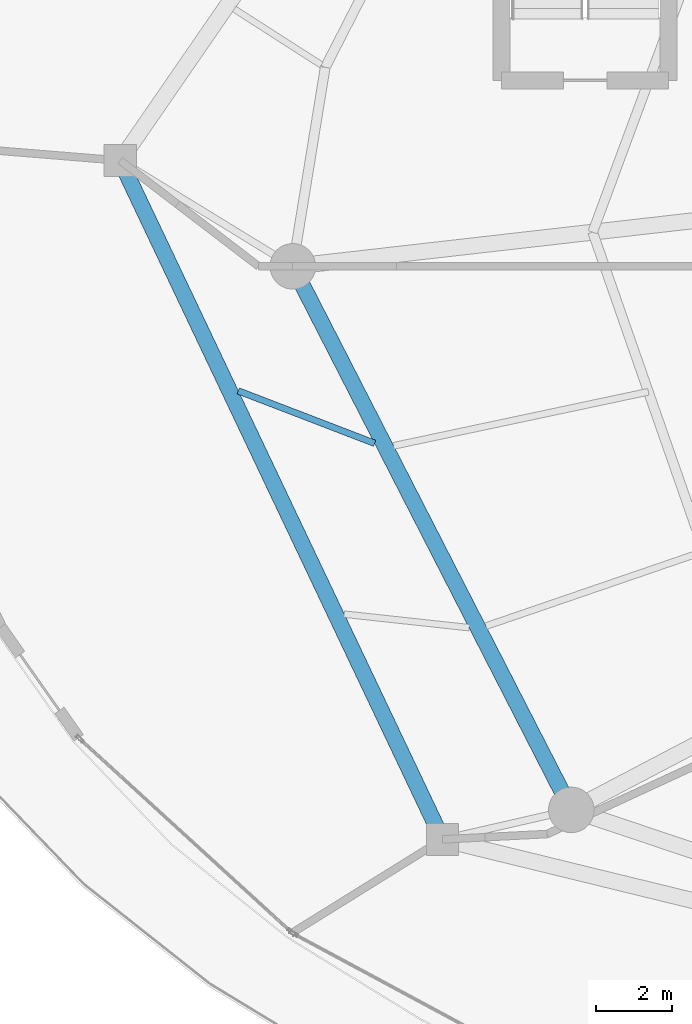
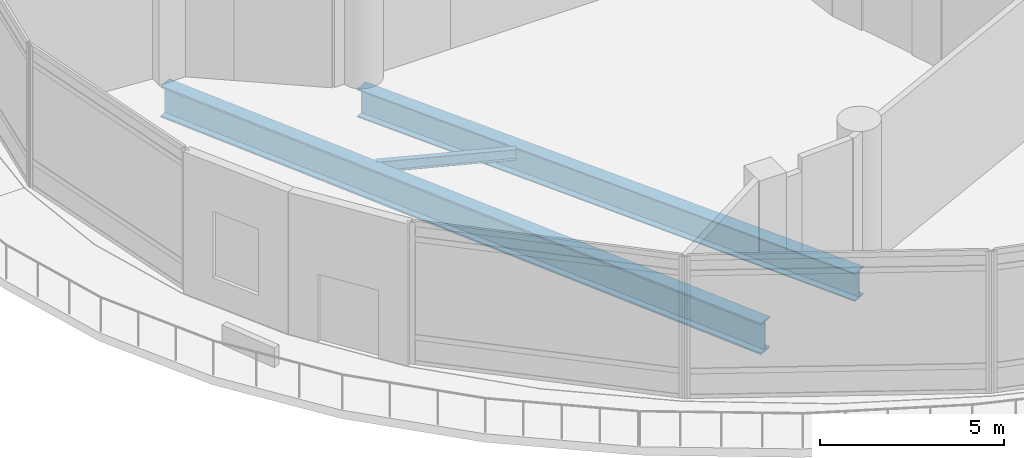
# One storey, part 6 of 36: 3 beams.
"""IFC4 building model written with IfcOpenShell, lengths in metres."""

import ifcopenshell
import ifcopenshell.guid

model = None  # the IFC model being written
_history = None  # IfcOwnerHistory: only IFC2X3 demands one
_inside = {}  # id of a spatial element -> (the spatial element, [elements in it])
_under = {}  # id of a project, library or spatial element -> (it, [spatial elements below it])
_declared = {}  # id of a project -> (the project, [libraries it declares])
_typed = {}  # id of a type object -> (the type object, [elements of that type])
_made_of = {}  # id of a material, layer set ... -> (it, [elements and type objects made of it])


def new_model(schema):
    """Start an empty IFC model of exactly this schema.

    Asked for "IFC4X3", IfcOpenShell would pick the latest addendum, in which some entities
    have other attributes; the version numbers below select the first issue.
    IFC2X3 requires an IfcOwnerHistory on every rooted entity: one is made here for all.
    """
    global model, _history
    if schema == "IFC4X3":
        model = ifcopenshell.file(schema_version=(4, 3, 0, 0))
    else:
        model = ifcopenshell.file(schema=schema)
    _inside.clear()
    _under.clear()
    _declared.clear()
    _typed.clear()
    _made_of.clear()
    _history = None
    if model.schema == "IFC2X3":
        org = make("IfcOrganization", Name="unknown")
        user = make(
            "IfcPersonAndOrganization",
            ThePerson=make("IfcPerson", FamilyName="unknown"),
            TheOrganization=org,
        )
        app = make(
            "IfcApplication",
            ApplicationDeveloper=org,
            Version="unknown",
            ApplicationFullName="unknown",
            ApplicationIdentifier="unknown",
        )
        _history = make(
            "IfcOwnerHistory",
            OwningUser=user,
            OwningApplication=app,
            ChangeAction="ADDED",
            CreationDate=0,
        )
    return model


def make(cls, **values):
    """One entity of the class cls with the attributes given. An attribute that is None is left unset."""
    return model.create_entity(
        cls, **{name: value for name, value in values.items() if value is not None}
    )


def rooted(cls, **values):
    """An entity with a GlobalId (a new one), such as an element, a storey or a relation."""
    return make(cls, GlobalId=ifcopenshell.guid.new(), OwnerHistory=_history, **values)


def si_unit(unit_type, name, prefix=None):
    """IfcSIUnit, for example si_unit("LENGTHUNIT", "METRE", prefix="MILLI")."""
    return make("IfcSIUnit", UnitType=unit_type, Prefix=prefix, Name=name)


def assignment(units):
    """IfcUnitAssignment: the units of a project."""
    return None if units is None else make("IfcUnitAssignment", Units=units)


def point(xyz):
    """IfcCartesianPoint."""
    return None if xyz is None else make("IfcCartesianPoint", Coordinates=xyz)


def direction(xyz):
    """IfcDirection."""
    return None if xyz is None else make("IfcDirection", DirectionRatios=xyz)


def frame(location, z_axis=None, x_axis=None):
    """IfcAxis2Placement3D, a coordinate frame: its origin and axes. An axis left out is left unset."""
    return make(
        "IfcAxis2Placement3D",
        Location=point(location),
        Axis=direction(z_axis),
        RefDirection=direction(x_axis),
    )


def frame_2d(location, x_axis=None):
    """IfcAxis2Placement2D, a coordinate frame in the plane: its origin and x axis."""
    return make(
        "IfcAxis2Placement2D", Location=point(location), RefDirection=direction(x_axis)
    )


def origin():
    """The frame at (0, 0, 0) with its axes left unset."""
    return frame((0.0, 0.0, 0.0))


def origin_2d():
    """The frame at (0, 0) in the plane with its x axis left unset."""
    return frame_2d((0.0, 0.0))


def place(relative_to, where):
    """IfcLocalPlacement: puts the frame where relative to a parent placement (None: the world)."""
    return make(
        "IfcLocalPlacement", PlacementRelTo=relative_to, RelativePlacement=where
    )


def context(
    kind, dimensions, precision=None, world=None, true_north=None, identifier=None
):
    """IfcGeometricRepresentationContext, for example the 3D "Model" context."""
    return make(
        "IfcGeometricRepresentationContext",
        ContextIdentifier=identifier,
        ContextType=kind,
        CoordinateSpaceDimension=dimensions,
        Precision=precision,
        WorldCoordinateSystem=world,
        TrueNorth=true_north,
    )


def subcontext(parent, identifier, kind, view, scale=None):
    """IfcGeometricRepresentationSubContext, for example "Body" below "Model"."""
    return make(
        "IfcGeometricRepresentationSubContext",
        ContextIdentifier=identifier,
        ContextType=kind,
        ParentContext=parent,
        TargetScale=scale,
        TargetView=view,
    )


def project(units=None, contexts=None):
    """IfcProject with its units and contexts."""
    return rooted(
        "IfcProject",
        Name="project",
        RepresentationContexts=contexts,
        UnitsInContext=assignment(units),
    )


def spatial(cls, under=None, at=None, **own):
    """A site, building, storey or space (cls), placed at a placement, below another one or the project."""
    s = rooted(cls, ObjectPlacement=at, **own)
    if under is not None:
        _under.setdefault(under.id(), (under, []))[1].append(s)
    return s


def profile(cls, at=None, kind="AREA", **sizes):
    """A parametric profile (cls). Its sizes go by their IFC names, for example OverallWidth=200.0."""
    return make(cls, ProfileType=kind, Position=at, **sizes)


def i_section(**sizes):
    """IfcIShapeProfileDef."""
    return profile("IfcIShapeProfileDef", **sizes)


def extrude(swept, where, along, depth):
    """IfcExtrudedAreaSolid: the profile swept, set in the frame where, extruded along a direction by depth."""
    return make(
        "IfcExtrudedAreaSolid",
        SweptArea=swept,
        Position=where,
        ExtrudedDirection=direction(along),
        Depth=depth,
    )


def shape(context_of_items, identifier, shape_type, items):
    """IfcShapeRepresentation: the items that make up one representation, for example the "Body"."""
    return make(
        "IfcShapeRepresentation",
        ContextOfItems=context_of_items,
        RepresentationIdentifier=identifier,
        RepresentationType=shape_type,
        Items=items,
    )


def material(Name=None, Category=None):
    """IfcMaterial."""
    return make("IfcMaterial", Name=Name, Category=Category)


def material_profile(
    of_material, cross_section, Name=None, Category=None, Priority=None
):
    """IfcMaterialProfile: a cross section and its material."""
    return make(
        "IfcMaterialProfile",
        Name=Name,
        Material=of_material,
        Profile=cross_section,
        Priority=Priority,
        Category=Category,
    )


def profile_set(profiles, Name=None, composite=None):
    """IfcMaterialProfileSet."""
    return make(
        "IfcMaterialProfileSet",
        Name=Name,
        MaterialProfiles=profiles,
        CompositeProfile=composite,
    )


def made_of(thing, what):
    """Note that an element or type object is made of a material, layer set ...; save() writes the relation."""
    if what is not None:
        _made_of.setdefault(what.id(), (what, []))[1].append(thing)
    return thing


def type_object(cls, material=None, **own):
    """A type object (cls), such as IfcWallType, which elements share."""
    return made_of(rooted(cls, **own), material)


def element(
    cls,
    number,
    at=None,
    inside=None,
    cuts=None,
    type_object=None,
    material=None,
    context=None,
    identifier="Body",
    shape_type=None,
    held_by="IfcProductDefinitionShape",
    body=None,
    shapes=None,
    **own,
):
    """One element of the class cls, such as IfcWall. Its Tag is "e" and its number.

    at: its placement. inside: the storey or other place that contains it. cuts: it is an
    opening in that element (IfcRelVoidsElement). A single representation is given by context,
    identifier, shape_type and body (its items); several are given by shapes. held_by: the class
    of the entity that holds the representations. save() writes the other relations.
    """
    e = rooted(cls, Tag="e%d" % number, ObjectPlacement=at, **own)
    if body is not None:
        shapes = [shape(context, identifier, shape_type, body)]
    if shapes is not None:
        e.Representation = make(held_by, Representations=shapes)
    if inside is not None:
        _inside.setdefault(inside.id(), (inside, []))[1].append(e)
    if cuts is not None:
        rooted(
            "IfcRelVoidsElement", RelatingBuildingElement=cuts, RelatedOpeningElement=e
        )
    if type_object is not None:
        _typed.setdefault(type_object.id(), (type_object, []))[1].append(e)
    return made_of(e, material)


def aggregate(whole, parts):
    """IfcRelAggregates: a whole, such as a stair, and the parts it consists of."""
    return rooted("IfcRelAggregates", RelatingObject=whole, RelatedObjects=parts)


def save(model, path):
    """Write the relations noted so far, then the file.

    IfcRelAggregates (storeys below a building ...), IfcRelContainedInSpatialStructure (elements
    in a storey), IfcRelDefinesByType, IfcRelAssociatesMaterial and IfcRelDeclares: one each for
    every whole, place, type object, material and project.
    """
    for whole, parts in _under.values():
        aggregate(whole, parts)
    for where, things in _inside.values():
        rooted(
            "IfcRelContainedInSpatialStructure",
            RelatedElements=things,
            RelatingStructure=where,
        )
    for kind, things in _typed.values():
        rooted("IfcRelDefinesByType", RelatedObjects=things, RelatingType=kind)
    for what, things in _made_of.values():
        rooted("IfcRelAssociatesMaterial", RelatedObjects=things, RelatingMaterial=what)
    for by, libraries in _declared.values():
        rooted("IfcRelDeclares", RelatingContext=by, RelatedDefinitions=libraries)
    model.write(path)


model = new_model("IFC4")

# Units and contexts
model_context = context("Model", 3, precision=1e-05, world=origin(), true_north=direction((0.0, 1.0)))
body_context = subcontext(model_context, "Body", "Model", "MODEL_VIEW")
ifc_project = project(units=[si_unit("LENGTHUNIT", "METRE"), si_unit("AREAUNIT", "SQUARE_METRE"), si_unit("VOLUMEUNIT", "CUBIC_METRE"), si_unit("PLANEANGLEUNIT", "RADIAN"), si_unit("MASSUNIT", "GRAM", prefix="KILO")], contexts=[model_context])

# Site, building, storey
site_placement = place(None, origin())
site = spatial("IfcSite", under=ifc_project, at=site_placement, CompositionType="ELEMENT")
building_placement = place(site_placement, origin())
building = spatial("IfcBuilding", under=site, at=building_placement, Name="Nuhasar Tower", CompositionType="ELEMENT")
storey_placement = place(building_placement, frame((0.0, 0.0, 11.0)))
storey = spatial("IfcBuildingStorey", under=building, at=storey_placement, Name="L02", CompositionType="ELEMENT", Elevation=11.0)

# Beams
ifc_material_1 = material(Name="Steel S355", Category="steel")
ifc_material_profile_1 = material_profile(ifc_material_1, i_section(OverallWidth=0.1708984375, OverallDepth=0.35205078125, WebThickness=0.0068359375, FlangeThickness=0.009765625, at=origin_2d()), Name="W14X30")
ifc_profile_set_1 = profile_set([ifc_material_profile_1], Name="Steel S355")
beam_type_1 = type_object("IfcBeamType", Name="BM-JST-W14X30", PredefinedType="JOIST", material=ifc_profile_set_1)
beam_1_placement = place(storey_placement, frame((16.10693359375, 22.137939453125, -0.47607421875), z_axis=(-0.933450159454, 0.358707122616, 0.0), x_axis=(-0.358707122616, -0.933450159454, 0.0)))
element("IfcBeam", 1, at=beam_1_placement, inside=storey, type_object=beam_type_1, Name="L02 Podium Secondary Joist 15", PredefinedType="JOIST", context=body_context, shape_type="SweptSolid", body=[
    extrude(i_section(OverallWidth=0.1708984375, OverallDepth=0.35205078125, WebThickness=0.0068359375, FlangeThickness=0.009765625, at=origin_2d()), origin(), (0.0, 0.0, 1.0), 3.850341796875),
])
ifc_material_profile_2 = material_profile(ifc_material_1, i_section(OverallWidth=0.419921875, OverallDepth=0.931884765625, WebThickness=0.021240234375, FlangeThickness=0.03662109375, at=origin_2d()), Name="W36X262")
ifc_profile_set_2 = profile_set([ifc_material_profile_2], Name="Steel S355")
beam_type_2 = type_object("IfcBeamType", Name="BM-POD-W36X262", PredefinedType="BEAM", material=ifc_profile_set_2)
beam_2_placement = place(storey_placement, frame((13.949951171875, 26.800048828125, -0.76611328125), z_axis=(0.456023040981, -0.88996796914, 0.0), x_axis=(0.88996796914, 0.456023040981, 0.0)))
element("IfcBeam", 2, at=beam_2_placement, inside=storey, type_object=beam_type_2, Name="L02 Mega-Column Ring Girder 08", PredefinedType="BEAM", context=body_context, shape_type="SweptSolid", body=[
    extrude(i_section(OverallWidth=0.419921875, OverallDepth=0.931884765625, WebThickness=0.021240234375, FlangeThickness=0.03662109375, at=origin_2d()), origin(), (0.0, 0.0, 1.0), 16.08935546875),
])
ifc_material_2 = material(Name="Steel S460", Category="steel")
ifc_material_profile_3 = material_profile(ifc_material_2, i_section(OverallWidth=0.419921875, OverallDepth=1.0400390625, WebThickness=0.031005859375, FlangeThickness=0.055908203125, at=origin_2d()), Name="W40X397")
ifc_profile_set_3 = profile_set([ifc_material_profile_3], Name="Steel S460")
beam_type_3 = type_object("IfcBeamType", Name="BM-XFER-W40X397", PredefinedType="USERDEFINED", material=ifc_profile_set_3)
beam_3_placement = place(storey_placement, frame((9.405029296875, 29.5869140625, -0.820068359375), z_axis=(0.428773284458, -0.903412126626, 0.0), x_axis=(0.903412126626, 0.428773284458, 0.0)))
element("IfcBeam", 3, at=beam_3_placement, inside=storey, type_object=beam_type_3, Name="L02 Podium Ring Girder 08", ObjectType="GIRDER", PredefinedType="USERDEFINED", context=body_context, shape_type="SweptSolid", body=[
    extrude(i_section(OverallWidth=0.419921875, OverallDepth=1.0400390625, WebThickness=0.031005859375, FlangeThickness=0.055908203125, at=origin_2d()), origin(), (0.0, 0.0, 1.0), 19.796142578125),
])

save(model, "model.ifc")
